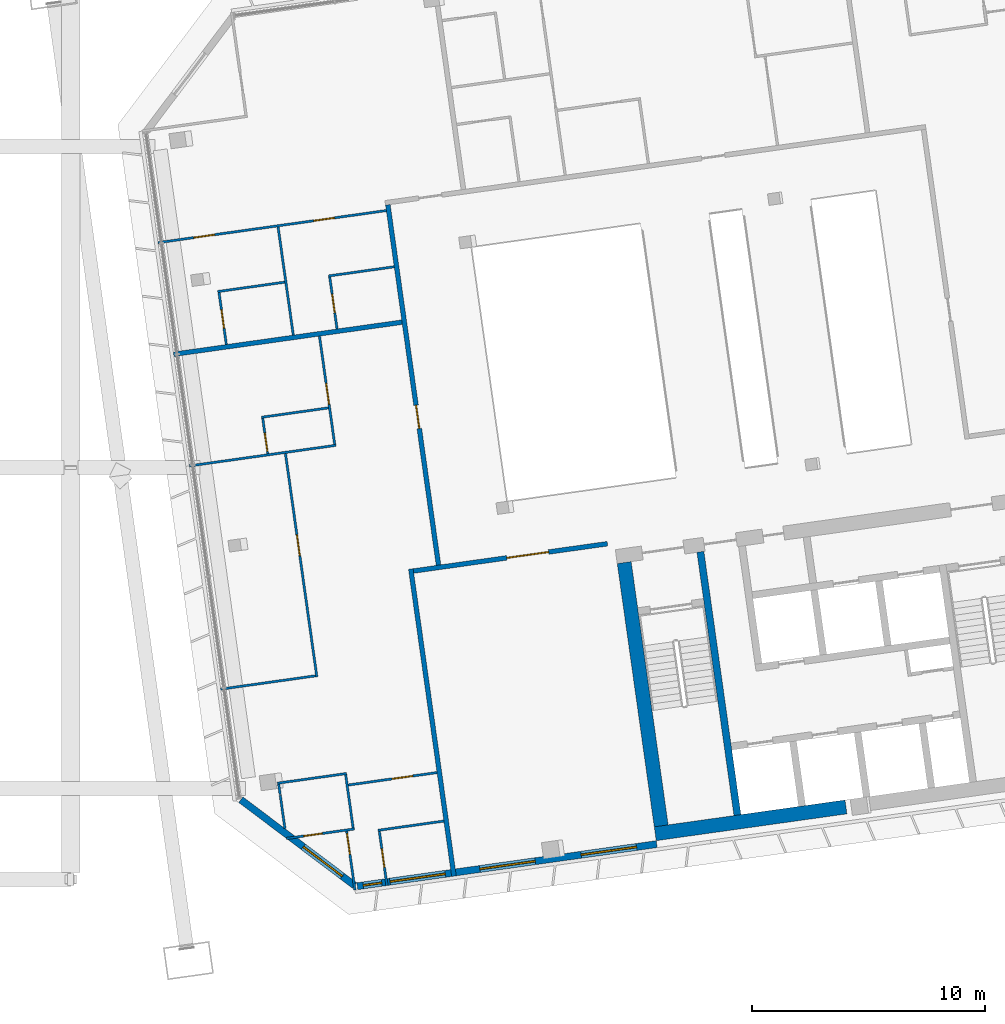
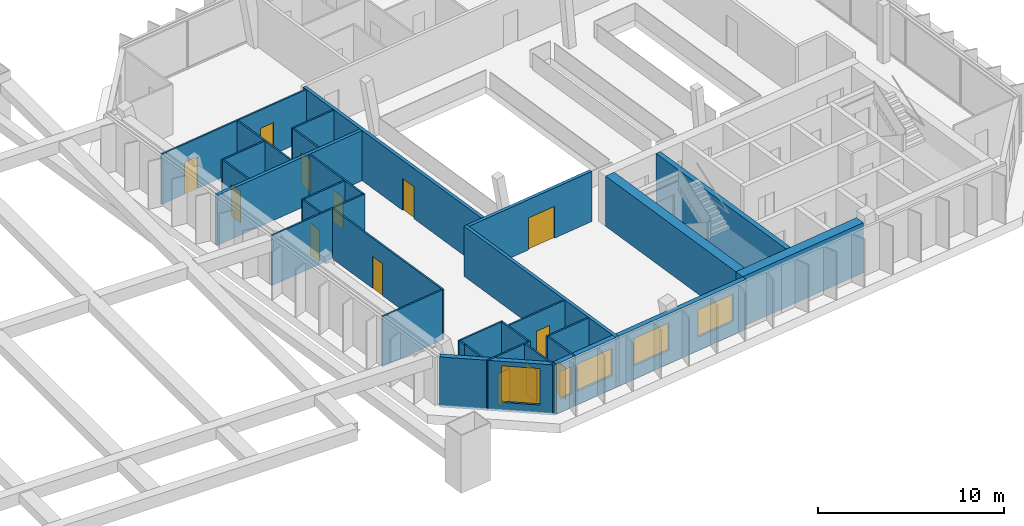
# One storey, part 24 of 36: 30 walls, 13 doors, 5 windows, 18 openings.
"""IFC4 building model written with IfcOpenShell, lengths in metres."""

from ifc_helpers import new_model, si_unit, direction, frame, frame_2d, origin, place, context, subcontext, project, spatial, rectangle, extrude, material, layer, layer_set, type_object, element, fill, save


model = new_model("IFC4")

# Units and contexts
model_context = context("Model", 3, precision=1e-05, world=origin(), true_north=direction((0.0, 1.0)))
body_context = subcontext(model_context, "Body", "Model", "MODEL_VIEW")
ifc_project = project(units=[si_unit("LENGTHUNIT", "METRE"), si_unit("AREAUNIT", "SQUARE_METRE"), si_unit("VOLUMEUNIT", "CUBIC_METRE"), si_unit("PLANEANGLEUNIT", "RADIAN"), si_unit("MASSUNIT", "GRAM", prefix="KILO")], contexts=[model_context])

# Site, building, storey
site_placement = place(None, origin())
site = spatial("IfcSite", under=ifc_project, at=site_placement, CompositionType="ELEMENT")
building_placement = place(site_placement, origin())
building = spatial("IfcBuilding", under=site, at=building_placement, Name="Mirante Cascada Hotel Towers", CompositionType="ELEMENT")
storey_placement = place(building_placement, frame((0.0, 0.0, 254.6)))
storey = spatial("IfcBuildingStorey", under=building, at=storey_placement, Name="L61", CompositionType="ELEMENT", Elevation=254.6)

# Wall, opening, door
ifc_material_1 = material(Name="Fire-rated plasterboard on metal studs")
ifc_layer_1 = layer(ifc_material_1, 0.2)
ifc_layer_set_1 = layer_set([ifc_layer_1], Name="Compartment wall 200 EI 120")
wall_type_1 = type_object("IfcWallType", Name="Compartment wall 200 EI 120", PredefinedType="PARTITIONING", material=ifc_layer_set_1)
wall_1_placement = place(storey_placement, frame((35.2634, -7.1173, 0.0), z_axis=(0.0, 0.0, 1.0), x_axis=(-0.9902688, -0.1391676, 0.0)))
wall_1 = element("IfcWall", 1, at=wall_1_placement, inside=storey, type_object=wall_type_1, Name="Wall 2-L61-07", PredefinedType="PARTITIONING", context=body_context, shape_type="SweptSolid", body=[
    extrude(rectangle(XDim=8.3999, YDim=0.2, at=frame_2d((4.2, 0.0))), origin(), (0.0, 0.0, 1.0), 3.3),
])
opening_1_placement = place(wall_1_placement, frame((2.55, 0.0, 0.0)))
opening_1 = element("IfcOpeningElement", 2, at=opening_1_placement, cuts=wall_1, Name="Opening D2-L61-04", PredefinedType="OPENING", context=body_context, shape_type="SweptSolid", body=[
    extrude(rectangle(XDim=1.8, YDim=2.1, at=frame_2d((0.9, 1.05))), frame((0.0, 0.1, 0.0), z_axis=(0.0, -1.0, 0.0), x_axis=(1.0, 0.0, 0.0)), (0.0, 0.0, 1.0), 0.2),
])
ifc_material_2 = material(Name="Fire-rated timber door leaf", Category="wood")
door_type_1 = type_object("IfcDoorType", Name="Suite double door DG2 1800x2100 EI 60", OperationType="DOUBLE_DOOR_SINGLE_SWING", PredefinedType="DOOR", material=ifc_material_2)
door_1_placement = place(opening_1_placement, origin())
door_1 = element("IfcDoor", 3, at=door_1_placement, inside=storey, type_object=door_type_1, Name="Door D2-L61-04", OperationType="DOUBLE_DOOR_SINGLE_SWING", OverallHeight=2.1, OverallWidth=1.8, PredefinedType="DOOR", context=body_context, shape_type="SweptSolid", body=[
    extrude(rectangle(XDim=0.895, YDim=2.1, at=frame_2d((0.4475, 1.05))), frame((0.0, 0.025, 0.0), z_axis=(0.0, -1.0, 0.0), x_axis=(1.0, 0.0, 0.0)), (0.0, 0.0, 1.0), 0.05),
    extrude(rectangle(XDim=0.895, YDim=2.1, at=frame_2d((1.3525, 1.05))), frame((0.0, 0.025, 0.0), z_axis=(0.0, -1.0, 0.0), x_axis=(1.0, 0.0, 0.0)), (0.0, 0.0, 1.0), 0.05),
])
fill(opening_1, door_1)

# Walls
wall_2_placement = place(storey_placement, frame((26.4556, 2.3827, 0.0), z_axis=(0.0, 0.0, 1.0), x_axis=(-0.9902671, -0.1391797, 0.0)))
element("IfcWall", 4, at=wall_2_placement, inside=storey, type_object=wall_type_1, Name="Wall 2-L61-11", PredefinedType="PARTITIONING", context=body_context, shape_type="SweptSolid", body=[
    extrude(rectangle(XDim=9.8879, YDim=0.2, at=frame_2d((4.944, 0.0))), origin(), (0.0, 0.0, 1.0), 3.3),
])
wall_3_placement = place(storey_placement, frame((26.8322, -8.2012, 0.0), z_axis=(0.0, 0.0, 1.0), x_axis=(0.1391726, -0.9902681, 0.0)))
element("IfcWall", 5, at=wall_3_placement, inside=storey, type_object=wall_type_1, Name="Wall 2-L61-37", PredefinedType="PARTITIONING", context=body_context, shape_type="SweptSolid", body=[
    extrude(rectangle(XDim=13.3, YDim=0.2, at=frame_2d((6.65, 0.0))), origin(), (0.0, 0.0, 1.0), 3.3),
])

# Wall, opening, door
wall_4_placement = place(storey_placement, frame((28.0205, -8.0342, 0.0), z_axis=(0.0, 0.0, 1.0), x_axis=(-0.1391729, 0.9902681, 0.0)))
wall_4 = element("IfcWall", 6, at=wall_4_placement, inside=storey, type_object=wall_type_1, Name="Wall 2-L61-38", PredefinedType="PARTITIONING", context=body_context, shape_type="SweptSolid", body=[
    extrude(rectangle(XDim=15.6, YDim=0.2, at=frame_2d((7.8, 0.0))), origin(), (0.0, 0.0, 1.0), 3.3),
])
opening_2_placement = place(wall_4_placement, frame((5.9167, 0.0, 0.0)))
opening_2 = element("IfcOpeningElement", 7, at=opening_2_placement, cuts=wall_4, Name="Opening D2-L61-21", PredefinedType="OPENING", context=body_context, shape_type="SweptSolid", body=[
    extrude(rectangle(XDim=1.0, YDim=2.1, at=frame_2d((0.5, 1.05))), frame((0.0, 0.1, 0.0), z_axis=(0.0, -1.0, 0.0), x_axis=(1.0, 0.0, 0.0)), (0.0, 0.0, 1.0), 0.2),
])
ifc_material_3 = material(Name="Fire-rated timber door leaf", Category="wood")
door_type_2 = type_object("IfcDoorType", Name="Entrance door DG1 1000x2100 EI 60", OperationType="SINGLE_SWING_LEFT", PredefinedType="DOOR", material=ifc_material_3)
door_2_placement = place(opening_2_placement, origin())
door_2 = element("IfcDoor", 8, at=door_2_placement, inside=storey, type_object=door_type_2, Name="Door D2-L61-21", OperationType="SINGLE_SWING_LEFT", OverallHeight=2.1, OverallWidth=1.0, PredefinedType="DOOR", context=body_context, shape_type="SweptSolid", body=[
    extrude(rectangle(XDim=1.0, YDim=2.1, at=frame_2d((0.5, 1.05))), frame((0.0, 0.025, 0.0), z_axis=(0.0, -1.0, 0.0), x_axis=(1.0, 0.0, 0.0)), (0.0, 0.0, 1.0), 0.05),
])
fill(opening_2, door_2)

# Wall
ifc_material_4 = material(Name="Plasterboard on metal studs")
ifc_layer_2 = layer(ifc_material_4, 0.1)
ifc_layer_set_2 = layer_set([ifc_layer_2], Name="Partition 100")
wall_type_2 = type_object("IfcWallType", Name="Partition 100", PredefinedType="PARTITIONING", material=ifc_layer_set_2)
wall_5_placement = place(storey_placement, frame((28.2502, -19.0091, 0.0), z_axis=(0.0, 0.0, 1.0), x_axis=(-0.9902704, -0.1391564, 0.0)))
element("IfcWall", 9, at=wall_5_placement, inside=storey, type_object=wall_type_2, Name="Wall 2-L61-01", PredefinedType="PARTITIONING", context=body_context, shape_type="SweptSolid", body=[
    extrude(rectangle(XDim=2.85, YDim=0.1, at=frame_2d((1.425, 0.0))), origin(), (0.0, 0.0, 1.0), 3.3),
])

# Wall, opening, door
wall_6_placement = place(storey_placement, frame((21.4946, -19.7565, 0.0), z_axis=(0.0, 0.0, 1.0), x_axis=(0.9902703, 0.1391572, 0.0)))
wall_6 = element("IfcWall", 10, at=wall_6_placement, inside=storey, type_object=wall_type_2, Name="Wall 2-L61-02", PredefinedType="PARTITIONING", context=body_context, shape_type="SweptSolid", body=[
    extrude(rectangle(XDim=2.9499, YDim=0.1, at=frame_2d((1.475, 0.0))), origin(), (0.0, 0.0, 1.0), 3.3),
])
opening_3_placement = place(wall_6_placement, frame((0.75, 0.0, 0.0)))
opening_3 = element("IfcOpeningElement", 11, at=opening_3_placement, cuts=wall_6, Name="Opening D2-L61-01", PredefinedType="OPENING", context=body_context, shape_type="SweptSolid", body=[
    extrude(rectangle(XDim=0.8, YDim=2.1, at=frame_2d((0.4, 1.05))), frame((0.0, 0.05, 0.0), z_axis=(0.0, -1.0, 0.0), x_axis=(1.0, 0.0, 0.0)), (0.0, 0.0, 1.0), 0.1),
])
ifc_material_5 = material(Name="Timber door leaf", Category="wood")
door_type_3 = type_object("IfcDoorType", Name="Bathroom door DG4 800x2100", OperationType="SINGLE_SWING_LEFT", PredefinedType="DOOR", material=ifc_material_5)
door_3_placement = place(opening_3_placement, origin())
door_3 = element("IfcDoor", 12, at=door_3_placement, inside=storey, type_object=door_type_3, Name="Door D2-L61-01", OperationType="SINGLE_SWING_LEFT", OverallHeight=2.1, OverallWidth=0.8, PredefinedType="DOOR", context=body_context, shape_type="SweptSolid", body=[
    extrude(rectangle(XDim=0.8, YDim=2.1, at=frame_2d((0.4, 1.05))), frame((0.0, 0.025, 0.0), z_axis=(0.0, -1.0, 0.0), x_axis=(1.0, 0.0, 0.0)), (0.0, 0.0, 1.0), 0.05),
])
fill(opening_3, door_3)

wall_7_placement = place(storey_placement, frame((27.9579, -16.9295, 0.0), z_axis=(0.0, 0.0, 1.0), x_axis=(-0.9902669, -0.1391811, 0.0)))
wall_7 = element("IfcWall", 13, at=wall_7_placement, inside=storey, type_object=wall_type_2, Name="Wall 2-L61-03", PredefinedType="PARTITIONING", context=body_context, shape_type="SweptSolid", body=[
    extrude(rectangle(XDim=3.8439, YDim=0.1, at=frame_2d((1.922, 0.0))), origin(), (0.0, 0.0, 1.0), 3.3),
])
opening_4_placement = place(wall_7_placement, frame((1.047, 0.0, 0.0)))
opening_4 = element("IfcOpeningElement", 14, at=opening_4_placement, cuts=wall_7, Name="Opening D2-L61-02", PredefinedType="OPENING", context=body_context, shape_type="SweptSolid", body=[
    extrude(rectangle(XDim=0.9, YDim=2.1, at=frame_2d((0.45, 1.05))), frame((0.0, 0.05, 0.0), z_axis=(0.0, -1.0, 0.0), x_axis=(1.0, 0.0, 0.0)), (0.0, 0.0, 1.0), 0.1),
])
ifc_material_6 = material(Name="Timber door leaf", Category="wood")
door_type_4 = type_object("IfcDoorType", Name="Room door DG3 900x2100", OperationType="SINGLE_SWING_LEFT", PredefinedType="DOOR", material=ifc_material_6)
door_4_placement = place(opening_4_placement, frame((0.9, 0.0, 0.0), z_axis=(0.0, 0.0, 1.0), x_axis=(-1.0, 0.0, 0.0)))
door_4 = element("IfcDoor", 15, at=door_4_placement, inside=storey, type_object=door_type_4, Name="Door D2-L61-02", OperationType="SINGLE_SWING_RIGHT", OverallHeight=2.1, OverallWidth=0.9, PredefinedType="DOOR", context=body_context, shape_type="SweptSolid", body=[
    extrude(rectangle(XDim=0.9, YDim=2.1, at=frame_2d((0.45, 1.05))), frame((0.0, 0.025, 0.0), z_axis=(0.0, -1.0, 0.0), x_axis=(1.0, 0.0, 0.0)), (0.0, 0.0, 1.0), 0.05),
])
fill(opening_4, door_4)

# Walls
wall_8_placement = place(storey_placement, frame((24.0818, -16.9693, 0.0), z_axis=(0.0, 0.0, 1.0), x_axis=(-0.9902689, -0.139167, 0.0)))
element("IfcWall", 16, at=wall_8_placement, inside=storey, type_object=wall_type_2, Name="Wall 2-L61-05", PredefinedType="PARTITIONING", context=body_context, shape_type="SweptSolid", body=[
    extrude(rectangle(XDim=3.0, YDim=0.1, at=frame_2d((1.5, 0.0))), origin(), (0.0, 0.0, 1.0), 3.3),
])
wall_9_placement = place(storey_placement, frame((18.6819, -13.3524, 0.0), z_axis=(0.0, 0.0, 1.0), x_axis=(0.9902656, 0.1391906, 0.0)))
element("IfcWall", 17, at=wall_9_placement, inside=storey, type_object=wall_type_2, Name="Wall 2-L61-06", PredefinedType="PARTITIONING", context=body_context, shape_type="SweptSolid", body=[
    extrude(rectangle(XDim=4.1052, YDim=0.1, at=frame_2d((2.0526, 0.0))), origin(), (0.0, 0.0, 1.0), 3.3),
])
wall_10_placement = place(storey_placement, frame((23.6248, -2.896, 0.0), z_axis=(0.0, 0.0, 1.0), x_axis=(-0.9902691, -0.1391656, 0.0)))
element("IfcWall", 18, at=wall_10_placement, inside=storey, type_object=wall_type_2, Name="Wall 2-L61-09", PredefinedType="PARTITIONING", context=body_context, shape_type="SweptSolid", body=[
    extrude(rectangle(XDim=6.35, YDim=0.1, at=frame_2d((3.175, 0.0))), origin(), (0.0, 0.0, 1.0), 3.3),
])
for number, where, z_axis, x_axis, name in (
    (19, (20.4266, -1.6961, 0.0), (0.0, 0.0, 1.0), (0.9902683, 0.1391714, 0.0), "Wall 2-L61-10"),
    (20, (18.552, 3.6955, 0.0), (0.0, 0.0, 1.0), (0.9902683, 0.1391714, 0.0), "Wall 2-L61-12"),
):
    element("IfcWall", number, at=place(storey_placement, frame(where, z_axis=z_axis, x_axis=x_axis)), inside=storey, type_object=wall_type_2, Name=name, PredefinedType="PARTITIONING", context=body_context, shape_type="SweptSolid", body=[
        extrude(rectangle(XDim=2.9, YDim=0.1, at=frame_2d((1.45, 0.0))), origin(), (0.0, 0.0, 1.0), 3.3),
    ])
wall_11_placement = place(storey_placement, frame((26.1215, 4.7593, 0.0), z_axis=(0.0, 0.0, 1.0), x_axis=(-0.9902697, -0.1391613, 0.0)))
element("IfcWall", 21, at=wall_11_placement, inside=storey, type_object=wall_type_2, Name="Wall 2-L61-13", PredefinedType="PARTITIONING", context=body_context, shape_type="SweptSolid", body=[
    extrude(rectangle(XDim=2.8499, YDim=0.1, at=frame_2d((1.425, 0.0))), origin(), (0.0, 0.0, 1.0), 3.3),
])

# Wall, openings, doors
wall_12_placement = place(storey_placement, frame((15.9912, 5.7929, 0.0), z_axis=(0.0, 0.0, 1.0), x_axis=(0.9902685, 0.1391698, 0.0)))
wall_12 = element("IfcWall", 22, at=wall_12_placement, inside=storey, type_object=wall_type_2, Name="Wall 2-L61-14", PredefinedType="PARTITIONING", context=body_context, shape_type="SweptSolid", body=[
    extrude(rectangle(XDim=9.8879, YDim=0.1, at=frame_2d((4.944, 0.0))), origin(), (0.0, 0.0, 1.0), 3.3),
])
opening_5_placement = place(wall_12_placement, frame((1.547, 0.0, 0.0)))
opening_5 = element("IfcOpeningElement", 23, at=opening_5_placement, cuts=wall_12, Name="Opening D2-L61-05", PredefinedType="OPENING", context=body_context, shape_type="SweptSolid", body=[
    extrude(rectangle(XDim=0.9, YDim=2.1, at=frame_2d((0.45, 1.05))), frame((0.0, 0.05, 0.0), z_axis=(0.0, -1.0, 0.0), x_axis=(1.0, 0.0, 0.0)), (0.0, 0.0, 1.0), 0.1),
])
opening_6_placement = place(wall_12_placement, frame((6.7409, 0.0, 0.0)))
opening_6 = element("IfcOpeningElement", 24, at=opening_6_placement, cuts=wall_12, Name="Opening D2-L61-06", PredefinedType="OPENING", context=body_context, shape_type="SweptSolid", body=[
    extrude(rectangle(XDim=0.9, YDim=2.1, at=frame_2d((0.45, 1.05))), frame((0.0, 0.05, 0.0), z_axis=(0.0, -1.0, 0.0), x_axis=(1.0, 0.0, 0.0)), (0.0, 0.0, 1.0), 0.1),
])
door_5_placement = place(opening_5_placement, origin())
door_5 = element("IfcDoor", 25, at=door_5_placement, inside=storey, type_object=door_type_4, Name="Door D2-L61-05", OperationType="SINGLE_SWING_LEFT", OverallHeight=2.1, OverallWidth=0.9, PredefinedType="DOOR", context=body_context, shape_type="SweptSolid", body=[
    extrude(rectangle(XDim=0.9, YDim=2.1, at=frame_2d((0.45, 1.05))), frame((0.0, 0.025, 0.0), z_axis=(0.0, -1.0, 0.0), x_axis=(1.0, 0.0, 0.0)), (0.0, 0.0, 1.0), 0.05),
])
fill(opening_5, door_5)
door_6_placement = place(opening_6_placement, origin())
door_6 = element("IfcDoor", 26, at=door_6_placement, inside=storey, type_object=door_type_4, Name="Door D2-L61-06", OperationType="SINGLE_SWING_LEFT", OverallHeight=2.1, OverallWidth=0.9, PredefinedType="DOOR", context=body_context, shape_type="SweptSolid", body=[
    extrude(rectangle(XDim=0.9, YDim=2.1, at=frame_2d((0.45, 1.05))), frame((0.0, 0.025, 0.0), z_axis=(0.0, -1.0, 0.0), x_axis=(1.0, 0.0, 0.0)), (0.0, 0.0, 1.0), 0.05),
])
fill(opening_6, door_6)

# Walls
wall_13_placement = place(storey_placement, frame((21.2343, -17.9047, 0.0), z_axis=(0.0, 0.0, 1.0), x_axis=(0.1391942, -0.9902651, 0.0)))
element("IfcWall", 27, at=wall_13_placement, inside=storey, type_object=wall_type_2, Name="Wall 2-L61-25", PredefinedType="PARTITIONING", context=body_context, shape_type="SweptSolid", body=[
    extrude(rectangle(XDim=1.4397, YDim=0.1, at=frame_2d((0.7198, 0.0))), origin(), (0.0, 0.0, 1.0), 3.3),
])
wall_14_placement = place(storey_placement, frame((21.2301, -17.875, 0.0), z_axis=(0.0, 0.0, 1.0), x_axis=(-0.1391186, 0.9902757, 0.0)))
element("IfcWall", 28, at=wall_14_placement, inside=storey, type_object=wall_type_2, Name="Wall 2-L61-26", PredefinedType="PARTITIONING", context=body_context, shape_type="SweptSolid", body=[
    extrude(rectangle(XDim=0.45, YDim=0.1, at=frame_2d((0.225, 0.0))), origin(), (0.0, 0.0, 1.0), 3.3),
])

# Wall, opening, door
wall_15_placement = place(storey_placement, frame((18.6085, 3.6529, 0.0), z_axis=(0.0, 0.0, 1.0), x_axis=(0.1391561, -0.9902705, 0.0)))
wall_15 = element("IfcWall", 29, at=wall_15_placement, inside=storey, type_object=wall_type_2, Name="Wall 2-L61-27", PredefinedType="PARTITIONING", context=body_context, shape_type="SweptSolid", body=[
    extrude(rectangle(XDim=2.25, YDim=0.1, at=frame_2d((1.125, 0.0))), origin(), (0.0, 0.0, 1.0), 3.3),
])
opening_7_placement = place(wall_15_placement, frame((0.75, 0.0, 0.0)))
opening_7 = element("IfcOpeningElement", 30, at=opening_7_placement, cuts=wall_15, Name="Opening D2-L61-13", PredefinedType="OPENING", context=body_context, shape_type="SweptSolid", body=[
    extrude(rectangle(XDim=0.8, YDim=2.1, at=frame_2d((0.4, 1.05))), frame((0.0, 0.05, 0.0), z_axis=(0.0, -1.0, 0.0), x_axis=(1.0, 0.0, 0.0)), (0.0, 0.0, 1.0), 0.1),
])
door_7_placement = place(opening_7_placement, origin())
door_7 = element("IfcDoor", 31, at=door_7_placement, inside=storey, type_object=door_type_3, Name="Door D2-L61-13", OperationType="SINGLE_SWING_LEFT", OverallHeight=2.1, OverallWidth=0.8, PredefinedType="DOOR", context=body_context, shape_type="SweptSolid", body=[
    extrude(rectangle(XDim=0.8, YDim=2.1, at=frame_2d((0.4, 1.05))), frame((0.0, 0.025, 0.0), z_axis=(0.0, -1.0, 0.0), x_axis=(1.0, 0.0, 0.0)), (0.0, 0.0, 1.0), 0.05),
])
fill(opening_7, door_7)

wall_16_placement = place(storey_placement, frame((20.6965, -3.257, 0.0), z_axis=(0.0, 0.0, 1.0), x_axis=(-0.1391839, 0.9902666, 0.0)))
wall_16 = element("IfcWall", 32, at=wall_16_placement, inside=storey, type_object=wall_type_2, Name="Wall 2-L61-28", PredefinedType="PARTITIONING", context=body_context, shape_type="SweptSolid", body=[
    extrude(rectangle(XDim=1.5332, YDim=0.1, at=frame_2d((0.7666, 0.0))), origin(), (0.0, 0.0, 1.0), 3.3),
])
opening_8_placement = place(wall_16_placement, frame((0.1, 0.0, 0.0)))
opening_8 = element("IfcOpeningElement", 33, at=opening_8_placement, cuts=wall_16, Name="Opening D2-L61-14", PredefinedType="OPENING", context=body_context, shape_type="SweptSolid", body=[
    extrude(rectangle(XDim=0.8, YDim=2.1, at=frame_2d((0.4, 1.05))), frame((0.0, 0.05, 0.0), z_axis=(0.0, -1.0, 0.0), x_axis=(1.0, 0.0, 0.0)), (0.0, 0.0, 1.0), 0.1),
])
door_8_placement = place(opening_8_placement, origin())
door_8 = element("IfcDoor", 34, at=door_8_placement, inside=storey, type_object=door_type_3, Name="Door D2-L61-14", OperationType="SINGLE_SWING_LEFT", OverallHeight=2.1, OverallWidth=0.8, PredefinedType="DOOR", context=body_context, shape_type="SweptSolid", body=[
    extrude(rectangle(XDim=0.8, YDim=2.1, at=frame_2d((0.4, 1.05))), frame((0.0, 0.025, 0.0), z_axis=(0.0, -1.0, 0.0), x_axis=(1.0, 0.0, 0.0)), (0.0, 0.0, 1.0), 0.05),
])
fill(opening_8, door_8)

wall_17_placement = place(storey_placement, frame((21.4583, -3.251, 0.0), z_axis=(0.0, 0.0, 1.0), x_axis=(0.1391689, -0.9902687, 0.0)))
wall_17 = element("IfcWall", 35, at=wall_17_placement, inside=storey, type_object=wall_type_2, Name="Wall 2-L61-29", PredefinedType="PARTITIONING", context=body_context, shape_type="SweptSolid", body=[
    extrude(rectangle(XDim=9.6667, YDim=0.1, at=frame_2d((4.8334, 0.0))), origin(), (0.0, 0.0, 1.0), 3.3),
])
opening_9_placement = place(wall_17_placement, frame((3.5167, 0.0, 0.0)))
opening_9 = element("IfcOpeningElement", 36, at=opening_9_placement, cuts=wall_17, Name="Opening D2-L61-15", PredefinedType="OPENING", context=body_context, shape_type="SweptSolid", body=[
    extrude(rectangle(XDim=0.9, YDim=2.1, at=frame_2d((0.45, 1.05))), frame((0.0, 0.05, 0.0), z_axis=(0.0, -1.0, 0.0), x_axis=(1.0, 0.0, 0.0)), (0.0, 0.0, 1.0), 0.1),
])
door_9_placement = place(opening_9_placement, origin())
door_9 = element("IfcDoor", 37, at=door_9_placement, inside=storey, type_object=door_type_4, Name="Door D2-L61-15", OperationType="SINGLE_SWING_LEFT", OverallHeight=2.1, OverallWidth=0.9, PredefinedType="DOOR", context=body_context, shape_type="SweptSolid", body=[
    extrude(rectangle(XDim=0.9, YDim=2.1, at=frame_2d((0.45, 1.05))), frame((0.0, 0.025, 0.0), z_axis=(0.0, -1.0, 0.0), x_axis=(1.0, 0.0, 0.0)), (0.0, 0.0, 1.0), 0.05),
])
fill(opening_9, door_9)

wall_18_placement = place(storey_placement, frame((24.437, -21.9685, 0.0), z_axis=(0.0, 0.0, 1.0), x_axis=(-0.1391425, 0.9902724, 0.0)))
wall_18 = element("IfcWall", 38, at=wall_18_placement, inside=storey, type_object=wall_type_2, Name="Wall 2-L61-30", PredefinedType="PARTITIONING", context=body_context, shape_type="SweptSolid", body=[
    extrude(rectangle(XDim=2.5499, YDim=0.1, at=frame_2d((1.275, 0.0))), origin(), (0.0, 0.0, 1.0), 3.3),
])
opening_10_placement = place(wall_18_placement, frame((1.55, 0.0, 0.0)))
opening_10 = element("IfcOpeningElement", 39, at=opening_10_placement, cuts=wall_18, Name="Opening D2-L61-16", PredefinedType="OPENING", context=body_context, shape_type="SweptSolid", body=[
    extrude(rectangle(XDim=0.9, YDim=2.1, at=frame_2d((0.45, 1.05))), frame((0.0, 0.05, 0.0), z_axis=(0.0, -1.0, 0.0), x_axis=(1.0, 0.0, 0.0)), (0.0, 0.0, 1.0), 0.1),
])
door_10_placement = place(opening_10_placement, frame((0.9, 0.0, 0.0), z_axis=(0.0, 0.0, 1.0), x_axis=(-1.0, 0.0, 0.0)))
door_10 = element("IfcDoor", 40, at=door_10_placement, inside=storey, type_object=door_type_4, Name="Door D2-L61-16", OperationType="SINGLE_SWING_RIGHT", OverallHeight=2.1, OverallWidth=0.9, PredefinedType="DOOR", context=body_context, shape_type="SweptSolid", body=[
    extrude(rectangle(XDim=0.9, YDim=2.1, at=frame_2d((0.45, 1.05))), frame((0.0, 0.025, 0.0), z_axis=(0.0, -1.0, 0.0), x_axis=(1.0, 0.0, 0.0)), (0.0, 0.0, 1.0), 0.05),
])
fill(opening_10, door_10)

# Walls
wall_19_placement = place(storey_placement, frame((24.3594, -19.3034, 0.0), z_axis=(0.0, 0.0, 1.0), x_axis=(-0.1391749, 0.9902678, 0.0)))
element("IfcWall", 41, at=wall_19_placement, inside=storey, type_object=wall_type_2, Name="Wall 2-L61-32", PredefinedType="PARTITIONING", context=body_context, shape_type="SweptSolid", body=[
    extrude(rectangle(XDim=2.3, YDim=0.1, at=frame_2d((1.15, 0.0))), origin(), (0.0, 0.0, 1.0), 3.3),
])
wall_20_placement = place(storey_placement, frame((21.1416, 6.4662, 0.0), z_axis=(0.0, 0.0, 1.0), x_axis=(0.139173, -0.9902681, 0.0)))
element("IfcWall", 42, at=wall_20_placement, inside=storey, type_object=wall_type_2, Name="Wall 2-L61-33", PredefinedType="PARTITIONING", context=body_context, shape_type="SweptSolid", body=[
    extrude(rectangle(XDim=4.6834, YDim=0.1, at=frame_2d((2.3417, 0.0))), origin(), (0.0, 0.0, 1.0), 3.3),
])

# Wall, opening, door
wall_21_placement = place(storey_placement, frame((25.8114, -21.7754, 0.0), z_axis=(0.0, 0.0, 1.0), x_axis=(-0.1391512, 0.9902712, 0.0)))
wall_21 = element("IfcWall", 43, at=wall_21_placement, inside=storey, type_object=wall_type_2, Name="Wall 2-L61-34", PredefinedType="PARTITIONING", context=body_context, shape_type="SweptSolid", body=[
    extrude(rectangle(XDim=2.35, YDim=0.1, at=frame_2d((1.175, 0.0))), origin(), (0.0, 0.0, 1.0), 3.3),
])
opening_11_placement = place(wall_21_placement, frame((0.8, 0.0, 0.0)))
opening_11 = element("IfcOpeningElement", 44, at=opening_11_placement, cuts=wall_21, Name="Opening D2-L61-18", PredefinedType="OPENING", context=body_context, shape_type="SweptSolid", body=[
    extrude(rectangle(XDim=0.8, YDim=2.1, at=frame_2d((0.4, 1.05))), frame((0.0, 0.05, 0.0), z_axis=(0.0, -1.0, 0.0), x_axis=(1.0, 0.0, 0.0)), (0.0, 0.0, 1.0), 0.1),
])
door_11_placement = place(opening_11_placement, origin())
door_11 = element("IfcDoor", 45, at=door_11_placement, inside=storey, type_object=door_type_3, Name="Door D2-L61-18", OperationType="SINGLE_SWING_LEFT", OverallHeight=2.1, OverallWidth=0.8, PredefinedType="DOOR", context=body_context, shape_type="SweptSolid", body=[
    extrude(rectangle(XDim=0.8, YDim=2.1, at=frame_2d((0.4, 1.05))), frame((0.0, 0.025, 0.0), z_axis=(0.0, -1.0, 0.0), x_axis=(1.0, 0.0, 0.0)), (0.0, 0.0, 1.0), 0.05),
])
fill(opening_11, door_11)

wall_22_placement = place(storey_placement, frame((22.9165, 1.7843, 0.0), z_axis=(0.0, 0.0, 1.0), x_axis=(0.139176, -0.9902677, 0.0)))
wall_22 = element("IfcWall", 46, at=wall_22_placement, inside=storey, type_object=wall_type_2, Name="Wall 2-L61-35", PredefinedType="PARTITIONING", context=body_context, shape_type="SweptSolid", body=[
    extrude(rectangle(XDim=4.6833, YDim=0.1, at=frame_2d((2.3416, 0.0))), origin(), (0.0, 0.0, 1.0), 3.3),
])
opening_12_placement = place(wall_22_placement, frame((2.05, 0.0, 0.0)))
opening_12 = element("IfcOpeningElement", 47, at=opening_12_placement, cuts=wall_22, Name="Opening D2-L61-19", PredefinedType="OPENING", context=body_context, shape_type="SweptSolid", body=[
    extrude(rectangle(XDim=0.9, YDim=2.1, at=frame_2d((0.45, 1.05))), frame((0.0, 0.05, 0.0), z_axis=(0.0, -1.0, 0.0), x_axis=(1.0, 0.0, 0.0)), (0.0, 0.0, 1.0), 0.1),
])
door_12_placement = place(opening_12_placement, origin())
door_12 = element("IfcDoor", 48, at=door_12_placement, inside=storey, type_object=door_type_4, Name="Door D2-L61-19", OperationType="SINGLE_SWING_LEFT", OverallHeight=2.1, OverallWidth=0.9, PredefinedType="DOOR", context=body_context, shape_type="SweptSolid", body=[
    extrude(rectangle(XDim=0.9, YDim=2.1, at=frame_2d((0.45, 1.05))), frame((0.0, 0.025, 0.0), z_axis=(0.0, -1.0, 0.0), x_axis=(1.0, 0.0, 0.0)), (0.0, 0.0, 1.0), 0.05),
])
fill(opening_12, door_12)

wall_23_placement = place(storey_placement, frame((23.6689, 2.092, 0.0), z_axis=(0.0, 0.0, 1.0), x_axis=(-0.1391997, 0.9902643, 0.0)))
wall_23 = element("IfcWall", 49, at=wall_23_placement, inside=storey, type_object=wall_type_2, Name="Wall 2-L61-36", PredefinedType="PARTITIONING", context=body_context, shape_type="SweptSolid", body=[
    extrude(rectangle(XDim=2.25, YDim=0.1, at=frame_2d((1.125, 0.0))), origin(), (0.0, 0.0, 1.0), 3.3),
])
opening_13_placement = place(wall_23_placement, frame((0.7, 0.0, 0.0)))
opening_13 = element("IfcOpeningElement", 50, at=opening_13_placement, cuts=wall_23, Name="Opening D2-L61-20", PredefinedType="OPENING", context=body_context, shape_type="SweptSolid", body=[
    extrude(rectangle(XDim=0.8, YDim=2.1, at=frame_2d((0.4, 1.05))), frame((0.0, 0.05, 0.0), z_axis=(0.0, -1.0, 0.0), x_axis=(1.0, 0.0, 0.0)), (0.0, 0.0, 1.0), 0.1),
])
door_13_placement = place(opening_13_placement, frame((0.8, 0.0, 0.0), z_axis=(0.0, 0.0, 1.0), x_axis=(-1.0, 0.0, 0.0)))
door_13 = element("IfcDoor", 51, at=door_13_placement, inside=storey, type_object=door_type_3, Name="Door D2-L61-20", OperationType="SINGLE_SWING_RIGHT", OverallHeight=2.1, OverallWidth=0.8, PredefinedType="DOOR", context=body_context, shape_type="SweptSolid", body=[
    extrude(rectangle(XDim=0.8, YDim=2.1, at=frame_2d((0.4, 1.05))), frame((0.0, 0.025, 0.0), z_axis=(0.0, -1.0, 0.0), x_axis=(1.0, 0.0, 0.0)), (0.0, 0.0, 1.0), 0.05),
])
fill(opening_13, door_13)

# Wall, openings, windows
ifc_material_7 = material(Name="Precast concrete C40/50", Category="concrete")
ifc_layer_3 = layer(ifc_material_7, 0.3)
ifc_layer_set_3 = layer_set([ifc_layer_3], Name="Precast concrete C40/50 cladding wall 300")
wall_type_3 = type_object("IfcWallType", Name="Precast concrete C40/50 cladding wall 300", PredefinedType="STANDARD", material=ifc_layer_set_3)
wall_24_placement = place(storey_placement, frame((24.5391, -21.8027, 0.0), z_axis=(0.0, 0.0, 1.0), x_axis=(0.9902681, 0.1391726, 0.0)))
wall_24 = element("IfcWall", 52, at=wall_24_placement, inside=storey, type_object=wall_type_3, Name="Rear cladding wall T2 L61 1", PredefinedType="STANDARD", context=body_context, shape_type="SweptSolid", body=[
    extrude(rectangle(XDim=12.9638, YDim=0.3, at=frame_2d((6.4819, 0.0))), origin(), (0.0, 0.0, 1.0), 3.3),
])
opening_14_placement = place(wall_24_placement, frame((1.4137, 0.0, 0.9)))
opening_14 = element("IfcOpeningElement", 53, at=opening_14_placement, cuts=wall_24, Name="Opening W2-61-01", PredefinedType="OPENING", context=body_context, shape_type="SweptSolid", body=[
    extrude(rectangle(XDim=2.4, YDim=1.8, at=frame_2d((1.2, 0.9))), frame((0.0, 0.15, 0.0), z_axis=(0.0, -1.0, 0.0), x_axis=(1.0, 0.0, 0.0)), (0.0, 0.0, 1.0), 0.3),
])
opening_15_placement = place(wall_24_placement, frame((5.3088, 0.0, 0.9)))
opening_15 = element("IfcOpeningElement", 54, at=opening_15_placement, cuts=wall_24, Name="Opening W2-61-02", PredefinedType="OPENING", context=body_context, shape_type="SweptSolid", body=[
    extrude(rectangle(XDim=2.4, YDim=1.8, at=frame_2d((1.2, 0.9))), frame((0.0, 0.15, 0.0), z_axis=(0.0, -1.0, 0.0), x_axis=(1.0, 0.0, 0.0)), (0.0, 0.0, 1.0), 0.3),
])
opening_16_placement = place(wall_24_placement, frame((9.6893, 0.0, 0.9)))
opening_16 = element("IfcOpeningElement", 55, at=opening_16_placement, cuts=wall_24, Name="Opening W2-61-03", PredefinedType="OPENING", context=body_context, shape_type="SweptSolid", body=[
    extrude(rectangle(XDim=2.4, YDim=1.8, at=frame_2d((1.2, 0.9))), frame((0.0, 0.15, 0.0), z_axis=(0.0, -1.0, 0.0), x_axis=(1.0, 0.0, 0.0)), (0.0, 0.0, 1.0), 0.3),
])
opening_17_placement = place(wall_24_placement, frame((0.2569, 0.0, 0.9)))
opening_17 = element("IfcOpeningElement", 56, at=opening_17_placement, cuts=wall_24, Name="Opening W2-61-09", PredefinedType="OPENING", context=body_context, shape_type="SweptSolid", body=[
    extrude(rectangle(XDim=0.8, YDim=1.8, at=frame_2d((0.4, 0.9))), frame((0.0, 0.15, 0.0), z_axis=(0.0, -1.0, 0.0), x_axis=(1.0, 0.0, 0.0)), (0.0, 0.0, 1.0), 0.3),
])
ifc_material_8 = material(Name="Aluminium frame with clear double glazing", Category="aluminium")
window_type_1 = type_object("IfcWindowType", Name="Punched window 2400x1800", PartitioningType="DOUBLE_PANEL_VERTICAL", PredefinedType="WINDOW", material=ifc_material_8)
window_1_placement = place(opening_14_placement, origin())
window_1 = element("IfcWindow", 57, at=window_1_placement, inside=storey, type_object=window_type_1, Name="Window W2-61-01", OverallHeight=1.8, OverallWidth=2.4, PartitioningType="SINGLE_PANEL", PredefinedType="WINDOW", context=body_context, shape_type="SweptSolid", body=[
    extrude(rectangle(XDim=2.4, YDim=1.8, at=frame_2d((1.2, 0.9))), frame((0.0, 0.03, 0.0), z_axis=(0.0, -1.0, 0.0), x_axis=(1.0, 0.0, 0.0)), (0.0, 0.0, 1.0), 0.06),
])
fill(opening_14, window_1)
window_2_placement = place(opening_15_placement, origin())
window_2 = element("IfcWindow", 58, at=window_2_placement, inside=storey, type_object=window_type_1, Name="Window W2-61-02", OverallHeight=1.8, OverallWidth=2.4, PartitioningType="SINGLE_PANEL", PredefinedType="WINDOW", context=body_context, shape_type="SweptSolid", body=[
    extrude(rectangle(XDim=2.4, YDim=1.8, at=frame_2d((1.2, 0.9))), frame((0.0, 0.03, 0.0), z_axis=(0.0, -1.0, 0.0), x_axis=(1.0, 0.0, 0.0)), (0.0, 0.0, 1.0), 0.06),
])
fill(opening_15, window_2)
window_3_placement = place(opening_16_placement, origin())
window_3 = element("IfcWindow", 59, at=window_3_placement, inside=storey, type_object=window_type_1, Name="Window W2-61-03", OverallHeight=1.8, OverallWidth=2.4, PartitioningType="SINGLE_PANEL", PredefinedType="WINDOW", context=body_context, shape_type="SweptSolid", body=[
    extrude(rectangle(XDim=2.4, YDim=1.8, at=frame_2d((1.2, 0.9))), frame((0.0, 0.03, 0.0), z_axis=(0.0, -1.0, 0.0), x_axis=(1.0, 0.0, 0.0)), (0.0, 0.0, 1.0), 0.06),
])
fill(opening_16, window_3)
ifc_material_9 = material(Name="Aluminium frame with clear double glazing", Category="aluminium")
window_type_2 = type_object("IfcWindowType", Name="Punched window 800x1800", PartitioningType="DOUBLE_PANEL_VERTICAL", PredefinedType="WINDOW", material=ifc_material_9)
window_4_placement = place(opening_17_placement, origin())
window_4 = element("IfcWindow", 60, at=window_4_placement, inside=storey, type_object=window_type_2, Name="Window W2-61-09", OverallHeight=1.8, OverallWidth=0.8, PartitioningType="SINGLE_PANEL", PredefinedType="WINDOW", context=body_context, shape_type="SweptSolid", body=[
    extrude(rectangle(XDim=0.8, YDim=1.8, at=frame_2d((0.4, 0.9))), frame((0.0, 0.03, 0.0), z_axis=(0.0, -1.0, 0.0), x_axis=(1.0, 0.0, 0.0)), (0.0, 0.0, 1.0), 0.06),
])
fill(opening_17, window_4)

# Wall, opening, window
wall_25_placement = place(storey_placement, frame((19.544, -18.0935, 0.0), z_axis=(0.0, 0.0, 1.0), x_axis=(0.7986362, -0.6018141, 0.0)))
wall_25 = element("IfcWall", 61, at=wall_25_placement, inside=storey, type_object=wall_type_3, Name="Corner cladding wall T2 L61 inner rear", PredefinedType="STANDARD", context=body_context, shape_type="SweptSolid", body=[
    extrude(rectangle(XDim=6.1157, YDim=0.3, at=frame_2d((3.0578, 0.0))), origin(), (0.0, 0.0, 1.0), 3.3),
])
opening_18_placement = place(wall_25_placement, frame((3.3513, 0.0, 0.6)))
opening_18 = element("IfcOpeningElement", 62, at=opening_18_placement, cuts=wall_25, Name="Opening W2-61-07", PredefinedType="OPENING", context=body_context, shape_type="SweptSolid", body=[
    extrude(rectangle(XDim=2.1, YDim=2.4, at=frame_2d((1.05, 1.2))), frame((0.0, 0.15, 0.0), z_axis=(0.0, -1.0, 0.0), x_axis=(1.0, 0.0, 0.0)), (0.0, 0.0, 1.0), 0.3),
])
ifc_material_10 = material(Name="Aluminium frame with clear double glazing", Category="aluminium")
window_type_3 = type_object("IfcWindowType", Name="Corner suite window 2100x2400", PartitioningType="DOUBLE_PANEL_VERTICAL", PredefinedType="WINDOW", material=ifc_material_10)
window_5_placement = place(opening_18_placement, origin())
window_5 = element("IfcWindow", 63, at=window_5_placement, inside=storey, type_object=window_type_3, Name="Window W2-61-07", OverallHeight=2.4, OverallWidth=2.1, PartitioningType="SINGLE_PANEL", PredefinedType="WINDOW", context=body_context, shape_type="SweptSolid", body=[
    extrude(rectangle(XDim=2.1, YDim=2.4, at=frame_2d((1.05, 1.2))), frame((0.0, 0.03, 0.0), z_axis=(0.0, -1.0, 0.0), x_axis=(1.0, 0.0, 0.0)), (0.0, 0.0, 1.0), 0.06),
])
fill(opening_18, window_5)

# Walls
ifc_material_11 = material(Name="Concrete C50/60", Category="concrete")
ifc_layer_4 = layer(ifc_material_11, 0.3)
ifc_layer_set_4 = layer_set([ifc_layer_4], Name="RC core wall 300 C50/60")
wall_type_4 = type_object("IfcWallType", Name="RC core wall 300 C50/60", PredefinedType="SHEAR", material=ifc_layer_set_4)
wall_26_placement = place(storey_placement, frame((40.8373, -18.7548, 0.0), z_axis=(0.0, 0.0, 1.0), x_axis=(-0.1391749, 0.9902678, 0.0)))
element("IfcWall", 64, at=wall_26_placement, inside=storey, type_object=wall_type_4, Name="Core wall T2:L61:5", PredefinedType="SHEAR", context=body_context, shape_type="SweptSolid", body=[
    extrude(rectangle(XDim=11.4, YDim=0.3, at=frame_2d((5.7, 0.0))), origin(), (0.0, 0.0, 1.0), 3.3),
])
ifc_material_12 = material(Name="Concrete C50/60", Category="concrete")
ifc_layer_5 = layer(ifc_material_12, 0.6)
ifc_layer_set_5 = layer_set([ifc_layer_5], Name="RC core wall 600 C50/60")
wall_type_5 = type_object("IfcWallType", Name="RC core wall 600 C50/60", PredefinedType="SHEAR", material=ifc_layer_set_5)
wall_27_placement = place(storey_placement, frame((37.3141, -19.5529, 0.0), z_axis=(0.0, 0.0, 1.0), x_axis=(0.9902684, 0.139171, 0.0)))
element("IfcWall", 65, at=wall_27_placement, inside=storey, type_object=wall_type_5, Name="Core wall T2:L61:1.1", PredefinedType="SHEAR", context=body_context, shape_type="SweptSolid", body=[
    extrude(rectangle(XDim=8.2568, YDim=0.6, at=frame_2d((4.1284, 0.0))), origin(), (0.0, 0.0, 1.0), 3.3),
])
wall_28_placement = place(storey_placement, frame((37.5694, -19.2141, 0.0), z_axis=(0.0, 0.0, 1.0), x_axis=(-0.1391749, 0.9902678, 0.0)))
element("IfcWall", 66, at=wall_28_placement, inside=storey, type_object=wall_type_5, Name="Core wall T2:L61:3", PredefinedType="SHEAR", context=body_context, shape_type="SweptSolid", body=[
    extrude(rectangle(XDim=11.4, YDim=0.6, at=frame_2d((5.7, 0.0))), origin(), (0.0, 0.0, 1.0), 3.3),
])

save(model, "model.ifc")
